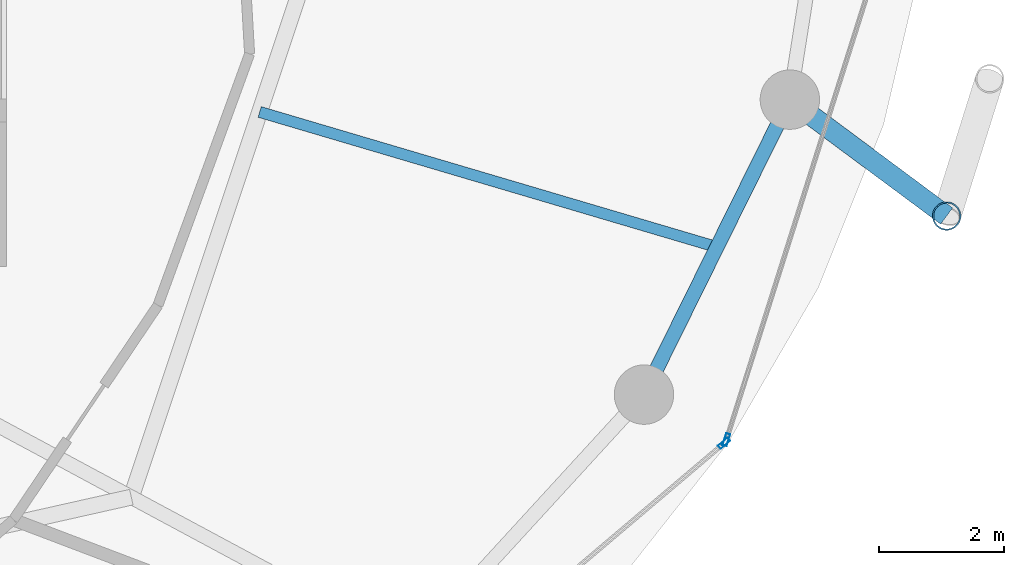
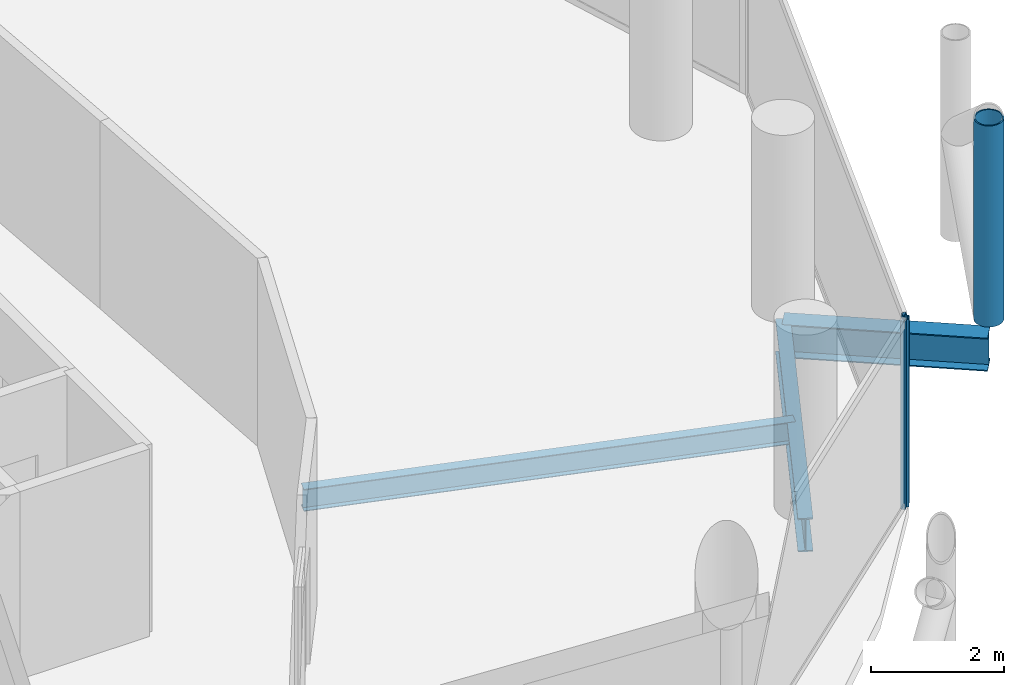
# One storey, part 10 of 26: 3 beams, 3 members, 2 elements without a shape of their own.
"""IFC4 building model written with IfcOpenShell, lengths in metres."""

from ifc_helpers import new_model, si_unit, direction, frame, origin, origin_2d, place, context, subcontext, project, spatial, hollow_rectangle, hollow_circle, i_section, extrude, material, layer, layer_set, material_profile, profile_set, type_object, element, aggregate, save


model = new_model("IFC4")

# Units and contexts
model_context = context("Model", 3, precision=1e-05, world=origin(), true_north=direction((0.0, 1.0)))
body_context = subcontext(model_context, "Body", "Model", "MODEL_VIEW")
ifc_project = project(units=[si_unit("LENGTHUNIT", "METRE"), si_unit("AREAUNIT", "SQUARE_METRE"), si_unit("VOLUMEUNIT", "CUBIC_METRE"), si_unit("PLANEANGLEUNIT", "RADIAN"), si_unit("MASSUNIT", "GRAM", prefix="KILO")], contexts=[model_context])

# Site, building, storey
site_placement = place(None, origin())
site = spatial("IfcSite", under=ifc_project, at=site_placement, CompositionType="ELEMENT")
building_placement = place(site_placement, origin())
building = spatial("IfcBuilding", under=site, at=building_placement, Name="Nuhasar Tower", CompositionType="ELEMENT")
storey_placement = place(building_placement, frame((0.0, 0.0, 147.85009765625)))
storey = spatial("IfcBuildingStorey", under=building, at=storey_placement, Name="L35", CompositionType="ELEMENT", Elevation=147.85009765625)

# Beams
ifc_material_1 = material(Name="Steel S355", Category="steel")
ifc_material_profile_1 = material_profile(ifc_material_1, i_section(OverallWidth=0.177978515625, OverallDepth=0.406005859375, WebThickness=0.0078125, FlangeThickness=0.0126953125, at=origin_2d()), Name="W16X40")
ifc_profile_set_1 = profile_set([ifc_material_profile_1], Name="Steel S355")
beam_type_1 = type_object("IfcBeamType", Name="BM-JST-W16X40", PredefinedType="JOIST", material=ifc_profile_set_1)
beam_1_placement = place(storey_placement, frame((53.0791015625, 21.54296875, -0.453125), z_axis=(0.959000494697, -0.283404395116, 0.0), x_axis=(0.283404395116, 0.959000494697, 0.0)))
element("IfcBeam", 1, at=beam_1_placement, inside=storey, type_object=beam_type_1, Name="L35 Secondary Floor Joist 03", PredefinedType="JOIST", context=body_context, shape_type="SweptSolid", body=[
    extrude(i_section(OverallWidth=0.177978515625, OverallDepth=0.406005859375, WebThickness=0.0078125, FlangeThickness=0.0126953125, at=origin_2d()), origin(), (0.0, 0.0, 1.0), 7.621337890625),
])
ifc_material_profile_2 = material_profile(ifc_material_1, i_section(OverallWidth=0.22998046875, OverallDepth=0.616943359375, WebThickness=0.01318359375, FlangeThickness=0.022216796875, at=origin_2d()), Name="W24X94")
ifc_profile_set_2 = profile_set([ifc_material_profile_2], Name="Steel S355")
beam_type_2 = type_object("IfcBeamType", Name="BM-RING-W24X94", PredefinedType="SPANDREL", material=ifc_profile_set_2)
beam_2_placement = place(storey_placement, frame((59.221923828125, 17.02490234375, -0.55908203125), z_axis=(0.443329327657, 0.896358804966, 0.0), x_axis=(-0.896358804966, 0.443329327657, 0.0)))
element("IfcBeam", 2, at=beam_2_placement, inside=storey, type_object=beam_type_2, Name="L35 Perimeter Ring Spandrel 23", PredefinedType="SPANDREL", context=body_context, shape_type="SweptSolid", body=[
    extrude(i_section(OverallWidth=0.22998046875, OverallDepth=0.616943359375, WebThickness=0.01318359375, FlangeThickness=0.022216796875, at=origin_2d()), origin(), (0.0, 0.0, 1.0), 5.26025390625),
])
ifc_material_profile_3 = material_profile(ifc_material_1, i_section(OverallWidth=0.323974609375, OverallDepth=0.611083984375, WebThickness=0.0126953125, FlangeThickness=0.01904296875, at=origin_2d()), Name="W24X104")
ifc_profile_set_3 = profile_set([ifc_material_profile_3], Name="Steel S355")
beam_type_3 = type_object("IfcBeamType", Name="BM-TIE-W24X104", PredefinedType="BEAM", material=ifc_profile_set_3)
beam_3_placement = place(storey_placement, frame((61.553955078125, 21.739990234375, -0.55615234375), z_axis=(0.80283476238, -0.596201597041, 0.0), x_axis=(0.596201597041, 0.80283476238, 0.0)))
element("IfcBeam", 3, at=beam_3_placement, inside=storey, type_object=beam_type_3, Name="L35 Exoskeleton Node Tie Beam 12", PredefinedType="BEAM", context=body_context, shape_type="SweptSolid", body=[
    extrude(i_section(OverallWidth=0.323974609375, OverallDepth=0.611083984375, WebThickness=0.0126953125, FlangeThickness=0.01904296875, at=origin_2d()), origin(), (0.0, 0.0, 1.0), 3.12158203125),
])

# Curtain wall, member
ifc_material_2 = material(Name="Aluminium 6063-T6", Category="aluminium")
ifc_layer = layer(ifc_material_2, 0.199951171875)
ifc_layer_set = layer_set([ifc_layer], Name="Aluminium 6063-T6")
curtain_wall_type = type_object("IfcCurtainWallType", Name="CW-Z2-HTL", PredefinedType="NOTDEFINED", material=ifc_layer_set)
curtain_wall_1_placement = place(storey_placement, origin())
curtain_wall_1 = element("IfcCurtainWall", 4, at=curtain_wall_1_placement, inside=storey, type_object=curtain_wall_type, Name="L35 Unitised Curtain Wall 11", PredefinedType="NOTDEFINED")
ifc_material_profile_4 = material_profile(ifc_material_2, hollow_rectangle(XDim=0.070068359375, YDim=0.199951171875, WallThickness=0.0048828125, at=origin_2d()), Name="CWM-3")
ifc_profile_set_4 = profile_set([ifc_material_profile_4], Name="Aluminium 6063-T6")
member_type_1 = type_object("IfcMemberType", Name="CW-MUL-S3", PredefinedType="MULLION", material=ifc_profile_set_4)
member_1_placement = place(storey_placement, frame((60.502197265625, 16.247314453125, 0.0), z_axis=(0.0, 0.0, 1.0), x_axis=(-0.646374438324, 0.763020370292, 0.0)))
member_1 = element("IfcMember", 5, at=member_1_placement, type_object=member_type_1, Name="CW-Z2 mullion 2", PredefinedType="MULLION", context=body_context, shape_type="SweptSolid", body=[
    extrude(hollow_rectangle(XDim=0.070068359375, YDim=0.199951171875, WallThickness=0.0048828125, at=origin_2d()), origin(), (0.0, 0.0, 1.0), 3.449951171875),
])
aggregate(curtain_wall_1, [member_1])

curtain_wall_2_placement = place(storey_placement, origin())
curtain_wall_2 = element("IfcCurtainWall", 6, at=curtain_wall_2_placement, inside=storey, type_object=curtain_wall_type, Name="L35 Unitised Curtain Wall 12", PredefinedType="NOTDEFINED")
member_2_placement = place(storey_placement, frame((60.53955078125, 16.303466796875, 0.0), z_axis=(0.0, 0.0, 1.0), x_axis=(-0.953433389233, 0.301603667577, 0.0)))
member_2 = element("IfcMember", 7, at=member_2_placement, type_object=member_type_1, Name="CW-Z2 mullion 1", PredefinedType="MULLION", context=body_context, shape_type="SweptSolid", body=[
    extrude(hollow_rectangle(XDim=0.070068359375, YDim=0.199951171875, WallThickness=0.0048828125, at=origin_2d()), origin(), (0.0, 0.0, 1.0), 3.449951171875),
])
aggregate(curtain_wall_2, [member_2])

# Member
ifc_material_3 = material(Name="Steel S460", Category="steel")
ifc_material_profile_5 = material_profile(ifc_material_3, hollow_circle(Radius=0.228515625, WallThickness=0.022216796875, at=origin_2d()), Name="HSS457X22.2")
ifc_profile_set_5 = profile_set([ifc_material_profile_5], Name="Steel S460")
member_type_2 = type_object("IfcMemberType", Name="EXO-BRONZE-457", PredefinedType="BRACE", material=ifc_profile_set_5)
member_3_placement = place(storey_placement, frame((64.06005859375, 19.87890625, 0.0), z_axis=(0.0, 0.0, 1.0), x_axis=(1.0, 0.0, 0.0)))
element("IfcMember", 8, at=member_3_placement, inside=storey, type_object=member_type_2, Name="L35 Exoskeleton Chord Column EC-12A", PredefinedType="BRACE", context=body_context, shape_type="SweptSolid", body=[
    extrude(hollow_circle(Radius=0.228515625, WallThickness=0.022216796875, at=origin_2d()), origin(), (0.0, 0.0, 1.0), 3.699951171875),
])

save(model, "model.ifc")
